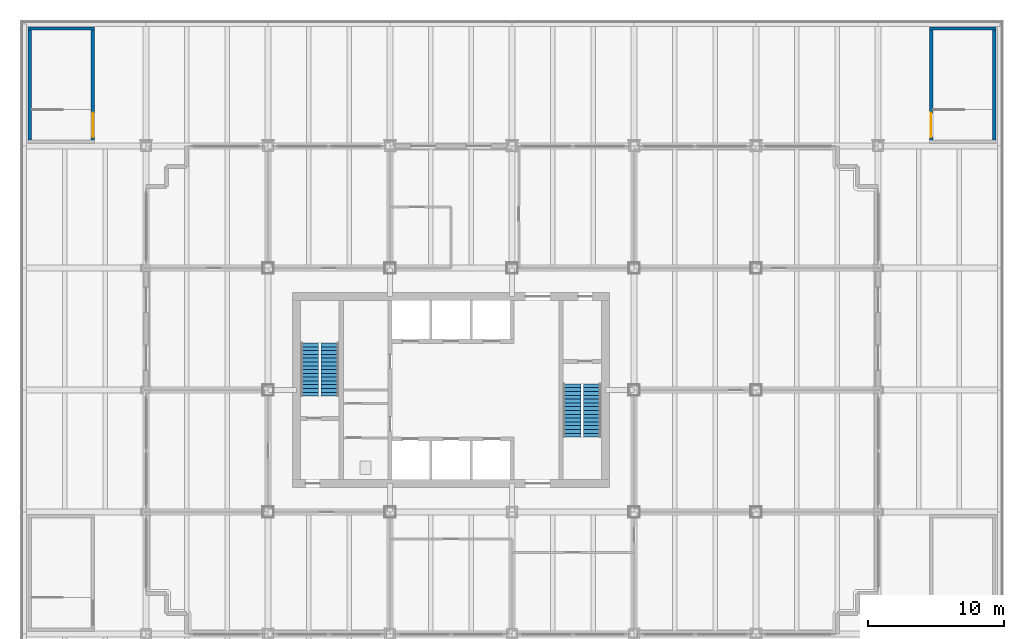
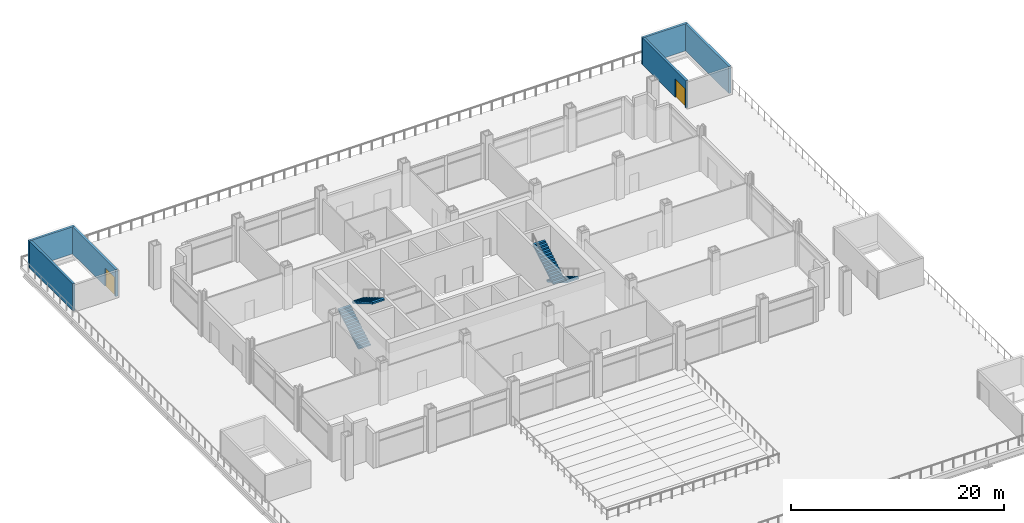
# One storey, part 11 of 16: 6 walls, 4 stair flights, 2 doors, 2 openings, 2 elements without a shape of their own.
"""IFC4 building model written with IfcOpenShell, lengths in metres."""

from ifc_helpers import new_model, si_unit, direction, frame, frame_2d, origin, place, context, subcontext, project, spatial, polyline, rectangle, outline, extrude, material, layer, layer_set, type_object, element, fill, aggregate, save


model = new_model("IFC4")

# Units and contexts
model_context = context("Model", 3, precision=1e-05, world=origin(), true_north=direction((0.0, 1.0)))
body_context = subcontext(model_context, "Body", "Model", "MODEL_VIEW")
ifc_project = project(units=[si_unit("LENGTHUNIT", "METRE"), si_unit("AREAUNIT", "SQUARE_METRE"), si_unit("VOLUMEUNIT", "CUBIC_METRE"), si_unit("PLANEANGLEUNIT", "RADIAN"), si_unit("MASSUNIT", "GRAM", prefix="KILO")], contexts=[model_context])

# Site, building, storey
site_placement = place(None, origin())
site = spatial("IfcSite", under=ifc_project, at=site_placement, CompositionType="ELEMENT")
building_placement = place(site_placement, origin())
building = spatial("IfcBuilding", under=site, at=building_placement, Name="Loomwork Tower", CompositionType="ELEMENT")
storey_placement = place(building_placement, frame((0.0, 0.0, 23.0)))
storey = spatial("IfcBuildingStorey", under=building, at=storey_placement, Name="L04", CompositionType="ELEMENT", Elevation=23.0)

# Walls
ifc_material_1 = material(Name="Concrete masonry, two-hour", Category="masonry")
ifc_layer = layer(ifc_material_1, 0.25)
ifc_layer_set = layer_set([ifc_layer], Name="Stair enclosure wall 250")
wall_type = type_object("IfcWallType", Name="Stair enclosure wall 250", PredefinedType="SOLIDWALL", material=ifc_layer_set)
wall_1_placement = place(storey_placement, frame((-8.699951171875, 44.675048828125, 0.0), z_axis=(0.0, 0.0, 1.0), x_axis=(1.0, 0.0, 0.0)))
element("IfcWall", 1, at=wall_1_placement, inside=storey, type_object=wall_type, Name="Stair PS3 head-house wall N L04", PredefinedType="SOLIDWALL", context=body_context, shape_type="SweptSolid", body=[
    extrude(rectangle(XDim=4.89990234375, YDim=0.25, at=frame_2d((2.449951171875, 0.0))), origin(), (0.0, 0.0, 1.0), 3.10009765625),
])
wall_2_placement = place(storey_placement, frame((-8.574951171875, 36.449951171875, 0.0), z_axis=(0.0, 0.0, 1.0), x_axis=(0.0, 1.0, 0.0)))
element("IfcWall", 2, at=wall_2_placement, inside=storey, type_object=wall_type, Name="Stair PS3 head-house wall W L04", PredefinedType="SOLIDWALL", context=body_context, shape_type="SweptSolid", body=[
    extrude(rectangle(XDim=8.10009765625, YDim=0.25, at=frame_2d((4.050048828125, 0.0))), origin(), (0.0, 0.0, 1.0), 3.10009765625),
])

# Wall, opening, door
wall_3_placement = place(storey_placement, frame((-3.925048828125, 36.449951171875, 0.0), z_axis=(0.0, 0.0, 1.0), x_axis=(0.0, 1.0, 0.0)))
wall_3 = element("IfcWall", 3, at=wall_3_placement, inside=storey, type_object=wall_type, Name="Stair PS3 head-house wall E L04", PredefinedType="SOLIDWALL", context=body_context, shape_type="SweptSolid", body=[
    extrude(rectangle(XDim=8.10009765625, YDim=0.25, at=frame_2d((4.050048828125, 0.0))), origin(), (0.0, 0.0, 1.0), 3.10009765625),
])
opening_1_placement = place(wall_3_placement, frame((0.199951171875, 0.0, 0.0)))
opening_1 = element("IfcOpeningElement", 4, at=opening_1_placement, cuts=wall_3, Name="Opening D14", PredefinedType="OPENING", context=body_context, shape_type="SweptSolid", body=[
    extrude(rectangle(XDim=1.800048828125, YDim=2.10009765625, at=frame_2d((0.89990234375, 1.050048828125))), frame((0.0, 0.135009765625, 0.0), z_axis=(0.0, -1.0, 0.0), x_axis=(1.0, 0.0, 0.0)), (0.0, 0.0, 1.0), 0.27001953125),
])
ifc_material_2 = material(Name="Hollow metal door and frame")
door_type = type_object("IfcDoorType", Name="Stair double door 1800", OperationType="DOUBLE_DOOR_SINGLE_SWING", PredefinedType="DOOR", material=ifc_material_2)
door_1_placement = place(opening_1_placement, frame((1.800048828125, 0.0, 0.0), z_axis=(0.0, 0.0, 1.0), x_axis=(-1.0, 0.0, 0.0)))
door_1 = element("IfcDoor", 5, at=door_1_placement, inside=storey, type_object=door_type, Name="Stair PS3 terrace door L04", OperationType="DOUBLE_DOOR_SINGLE_SWING", OverallHeight=2.10009765625, OverallWidth=1.800048828125, PredefinedType="DOOR", context=body_context, shape_type="SweptSolid", body=[
    extrude(rectangle(XDim=1.800048828125, YDim=2.10009765625, at=frame_2d((0.89990234375, 1.050048828125))), frame((0.0, 0.02490234375, 0.0), z_axis=(0.0, -1.0, 0.0), x_axis=(1.0, 0.0, 0.0)), (0.0, 0.0, 1.0), 0.050048828125),
])
fill(opening_1, door_1)

# Wall
wall_4_placement = place(storey_placement, frame((57.800048828125, 44.675048828125, 0.0), z_axis=(0.0, 0.0, 1.0), x_axis=(1.0, 0.0, 0.0)))
element("IfcWall", 6, at=wall_4_placement, inside=storey, type_object=wall_type, Name="Stair PS4 head-house wall N L04", PredefinedType="SOLIDWALL", context=body_context, shape_type="SweptSolid", body=[
    extrude(rectangle(XDim=4.89990234375, YDim=0.25, at=frame_2d((2.449951171875, 0.0))), origin(), (0.0, 0.0, 1.0), 3.10009765625),
])

# Wall, opening, door
wall_5_placement = place(storey_placement, frame((57.925048828125, 36.449951171875, 0.0), z_axis=(0.0, 0.0, 1.0), x_axis=(0.0, 1.0, 0.0)))
wall_5 = element("IfcWall", 7, at=wall_5_placement, inside=storey, type_object=wall_type, Name="Stair PS4 head-house wall W L04", PredefinedType="SOLIDWALL", context=body_context, shape_type="SweptSolid", body=[
    extrude(rectangle(XDim=8.10009765625, YDim=0.25, at=frame_2d((4.050048828125, 0.0))), origin(), (0.0, 0.0, 1.0), 3.10009765625),
])
opening_2_placement = place(wall_5_placement, frame((0.199951171875, 0.0, 0.0)))
opening_2 = element("IfcOpeningElement", 8, at=opening_2_placement, cuts=wall_5, Name="Opening D14", PredefinedType="OPENING", context=body_context, shape_type="SweptSolid", body=[
    extrude(rectangle(XDim=1.800048828125, YDim=2.10009765625, at=frame_2d((0.89990234375, 1.050048828125))), frame((0.0, 0.135009765625, 0.0), z_axis=(0.0, -1.0, 0.0), x_axis=(1.0, 0.0, 0.0)), (0.0, 0.0, 1.0), 0.27001953125),
])
door_2_placement = place(opening_2_placement, origin())
door_2 = element("IfcDoor", 9, at=door_2_placement, inside=storey, type_object=door_type, Name="Stair PS4 terrace door L04", OperationType="DOUBLE_DOOR_SINGLE_SWING", OverallHeight=2.10009765625, OverallWidth=1.800048828125, PredefinedType="DOOR", context=body_context, shape_type="SweptSolid", body=[
    extrude(rectangle(XDim=1.800048828125, YDim=2.10009765625, at=frame_2d((0.89990234375, 1.050048828125))), frame((0.0, 0.02490234375, 0.0), z_axis=(0.0, -1.0, 0.0), x_axis=(1.0, 0.0, 0.0)), (0.0, 0.0, 1.0), 0.050048828125),
])
fill(opening_2, door_2)

# Wall
wall_6_placement = place(storey_placement, frame((62.574951171875, 36.449951171875, 0.0), z_axis=(0.0, 0.0, 1.0), x_axis=(0.0, 1.0, 0.0)))
element("IfcWall", 10, at=wall_6_placement, inside=storey, type_object=wall_type, Name="Stair PS4 head-house wall E L04", PredefinedType="SOLIDWALL", context=body_context, shape_type="SweptSolid", body=[
    extrude(rectangle(XDim=8.10009765625, YDim=0.25, at=frame_2d((4.050048828125, 0.0))), origin(), (0.0, 0.0, 1.0), 3.10009765625),
])

# Stair, stair flights
ifc_material_3 = material(Name="Concrete 5000 psi (34 MPa) precast stair", Category="concrete")
stair_type_1 = type_object("IfcStairType", Name="Stair ST-A 30 risers 2850 wide", PredefinedType="HALF_TURN_STAIR", material=ifc_material_3)
stair_1_placement = place(storey_placement, origin())
stair_1 = element("IfcStair", 11, at=stair_1_placement, inside=storey, type_object=stair_type_1, Name="Stair A L04", PredefinedType="HALF_TURN_STAIR")
ifc_material_4 = material(Name="Concrete 5000 psi (34 MPa) precast stair", Category="concrete")
stair_flight_type_1 = type_object("IfcStairFlightType", Name="Stair flight ST-A 15 risers 1300 wide", PredefinedType="STRAIGHT", material=ifc_material_4)
stair_flight_1_placement = place(storey_placement, frame((12.074951171875, 17.550048828125, 0.0), z_axis=(0.0, 0.0, 1.0), x_axis=(0.0, 1.0, 0.0)))
stair_flight_1 = element("IfcStairFlight", 12, at=stair_flight_1_placement, type_object=stair_flight_type_1, Name="ST-A flight 1", NumberOfRisers=15, NumberOfTreads=14, PredefinedType="STRAIGHT", RiserHeight=0.166666667, TreadLength=0.28, context=body_context, shape_type="SweptSolid", body=[
    extrude(outline(polyline([(0.0, 0.0), (0.0, 0.166748046875), (0.280029296875, 0.166748046875), (0.280029296875, 0.333251953125), (0.56005859375, 0.333251953125), (0.56005859375, 0.5), (0.840087890625, 0.5), (0.840087890625, 0.666748046875), (1.1201171875, 0.666748046875), (1.1201171875, 0.833251953125), (1.39990234375, 0.833251953125), (1.39990234375, 1.0), (1.679931640625, 1.0), (1.679931640625, 1.166748046875), (1.9599609375, 1.166748046875), (1.9599609375, 1.333251953125), (2.239990234375, 1.333251953125), (2.239990234375, 1.5), (2.52001953125, 1.5), (2.52001953125, 1.666748046875), (2.800048828125, 1.666748046875), (2.800048828125, 1.833251953125), (3.080078125, 1.833251953125), (3.080078125, 2.0), (3.360107421875, 2.0), (3.360107421875, 2.166748046875), (3.639892578125, 2.166748046875), (3.639892578125, 2.333251953125), (3.919921875, 2.333251953125), (3.919921875, 2.5), (3.919921875, 2.158935546875), (0.29296875, 0.0), (0.0, 0.0)])), frame((0.0, 0.64990234375, 0.0), z_axis=(0.0, -1.0, 0.0), x_axis=(1.0, 0.0, 0.0)), (0.0, 0.0, 1.0), 1.300048828125),
])
stair_flight_2_placement = place(storey_placement, frame((13.574951171875, 21.469970703125, 2.5), z_axis=(0.0, 0.0, 1.0), x_axis=(0.0, -1.0, 0.0)))
stair_flight_2 = element("IfcStairFlight", 13, at=stair_flight_2_placement, type_object=stair_flight_type_1, Name="ST-A flight 2", NumberOfRisers=15, NumberOfTreads=14, PredefinedType="STRAIGHT", RiserHeight=0.166666667, TreadLength=0.28, context=body_context, shape_type="SweptSolid", body=[
    extrude(outline(polyline([(0.0, 0.0), (0.0, 0.166748046875), (0.280029296875, 0.166748046875), (0.280029296875, 0.333251953125), (0.56005859375, 0.333251953125), (0.56005859375, 0.5), (0.840087890625, 0.5), (0.840087890625, 0.666748046875), (1.1201171875, 0.666748046875), (1.1201171875, 0.833251953125), (1.39990234375, 0.833251953125), (1.39990234375, 1.0), (1.679931640625, 1.0), (1.679931640625, 1.166748046875), (1.9599609375, 1.166748046875), (1.9599609375, 1.333251953125), (2.239990234375, 1.333251953125), (2.239990234375, 1.5), (2.52001953125, 1.5), (2.52001953125, 1.666748046875), (2.800048828125, 1.666748046875), (2.800048828125, 1.833251953125), (3.080078125, 1.833251953125), (3.080078125, 2.0), (3.360107421875, 2.0), (3.360107421875, 2.166748046875), (3.639892578125, 2.166748046875), (3.639892578125, 2.333251953125), (3.919921875, 2.333251953125), (3.919921875, 2.5), (3.919921875, 2.158935546875), (0.29296875, 0.0), (0.0, 0.0)])), frame((0.0, 0.64990234375, 0.0), z_axis=(0.0, -1.0, 0.0), x_axis=(1.0, 0.0, 0.0)), (0.0, 0.0, 1.0), 1.300048828125),
])
aggregate(stair_1, [stair_flight_1, stair_flight_2])

ifc_material_5 = material(Name="Concrete 5000 psi (34 MPa) precast stair", Category="concrete")
stair_type_2 = type_object("IfcStairType", Name="Stair ST-B 30 risers 2850 wide", PredefinedType="HALF_TURN_STAIR", material=ifc_material_5)
stair_2_placement = place(storey_placement, origin())
stair_2 = element("IfcStair", 14, at=stair_2_placement, inside=storey, type_object=stair_type_2, Name="Stair B L04", PredefinedType="HALF_TURN_STAIR")
ifc_material_6 = material(Name="Concrete 5000 psi (34 MPa) precast stair", Category="concrete")
stair_flight_type_2 = type_object("IfcStairFlightType", Name="Stair flight ST-B 15 risers 1300 wide", PredefinedType="STRAIGHT", material=ifc_material_6)
stair_flight_3_placement = place(storey_placement, frame((32.925048828125, 18.449951171875, 0.0), z_axis=(0.0, 0.0, 1.0), x_axis=(0.0, -1.0, 0.0)))
stair_flight_3 = element("IfcStairFlight", 15, at=stair_flight_3_placement, type_object=stair_flight_type_2, Name="ST-B flight 1", NumberOfRisers=15, NumberOfTreads=14, PredefinedType="STRAIGHT", RiserHeight=0.166666667, TreadLength=0.28, context=body_context, shape_type="SweptSolid", body=[
    extrude(outline(polyline([(0.0, 0.0), (0.0, 0.166748046875), (0.280029296875, 0.166748046875), (0.280029296875, 0.333251953125), (0.56005859375, 0.333251953125), (0.56005859375, 0.5), (0.840087890625, 0.5), (0.840087890625, 0.666748046875), (1.1201171875, 0.666748046875), (1.1201171875, 0.833251953125), (1.39990234375, 0.833251953125), (1.39990234375, 1.0), (1.679931640625, 1.0), (1.679931640625, 1.166748046875), (1.9599609375, 1.166748046875), (1.9599609375, 1.333251953125), (2.239990234375, 1.333251953125), (2.239990234375, 1.5), (2.52001953125, 1.5), (2.52001953125, 1.666748046875), (2.800048828125, 1.666748046875), (2.800048828125, 1.833251953125), (3.080078125, 1.833251953125), (3.080078125, 2.0), (3.360107421875, 2.0), (3.360107421875, 2.166748046875), (3.639892578125, 2.166748046875), (3.639892578125, 2.333251953125), (3.919921875, 2.333251953125), (3.919921875, 2.5), (3.919921875, 2.158935546875), (0.29296875, 0.0), (0.0, 0.0)])), frame((0.0, 0.64990234375, 0.0), z_axis=(0.0, -1.0, 0.0), x_axis=(1.0, 0.0, 0.0)), (0.0, 0.0, 1.0), 1.300048828125),
])
stair_flight_4_placement = place(storey_placement, frame((31.425048828125, 14.530029296875, 2.5), z_axis=(0.0, 0.0, 1.0), x_axis=(0.0, 1.0, 0.0)))
stair_flight_4 = element("IfcStairFlight", 16, at=stair_flight_4_placement, type_object=stair_flight_type_2, Name="ST-B flight 2", NumberOfRisers=15, NumberOfTreads=14, PredefinedType="STRAIGHT", RiserHeight=0.166666667, TreadLength=0.28, context=body_context, shape_type="SweptSolid", body=[
    extrude(outline(polyline([(0.0, 0.0), (0.0, 0.166748046875), (0.280029296875, 0.166748046875), (0.280029296875, 0.333251953125), (0.56005859375, 0.333251953125), (0.56005859375, 0.5), (0.840087890625, 0.5), (0.840087890625, 0.666748046875), (1.1201171875, 0.666748046875), (1.1201171875, 0.833251953125), (1.39990234375, 0.833251953125), (1.39990234375, 1.0), (1.679931640625, 1.0), (1.679931640625, 1.166748046875), (1.9599609375, 1.166748046875), (1.9599609375, 1.333251953125), (2.239990234375, 1.333251953125), (2.239990234375, 1.5), (2.52001953125, 1.5), (2.52001953125, 1.666748046875), (2.800048828125, 1.666748046875), (2.800048828125, 1.833251953125), (3.080078125, 1.833251953125), (3.080078125, 2.0), (3.360107421875, 2.0), (3.360107421875, 2.166748046875), (3.639892578125, 2.166748046875), (3.639892578125, 2.333251953125), (3.919921875, 2.333251953125), (3.919921875, 2.5), (3.919921875, 2.158935546875), (0.29296875, 0.0), (0.0, 0.0)])), frame((0.0, 0.64990234375, 0.0), z_axis=(0.0, -1.0, 0.0), x_axis=(1.0, 0.0, 0.0)), (0.0, 0.0, 1.0), 1.300048828125),
])
aggregate(stair_2, [stair_flight_3, stair_flight_4])

save(model, "model.ifc")
